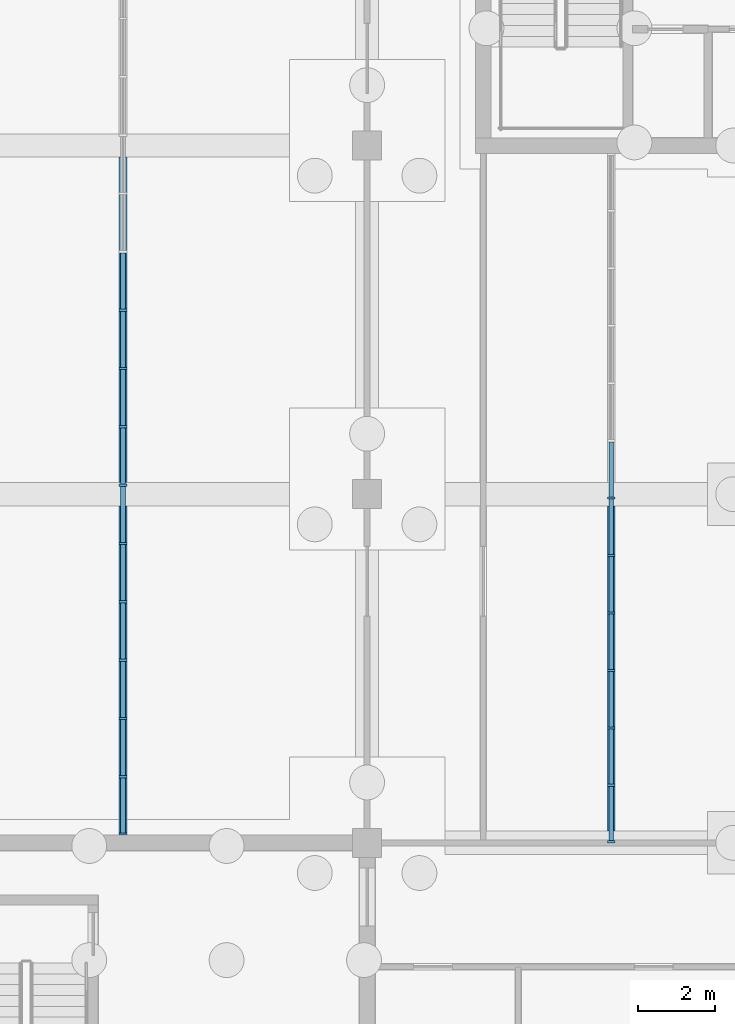
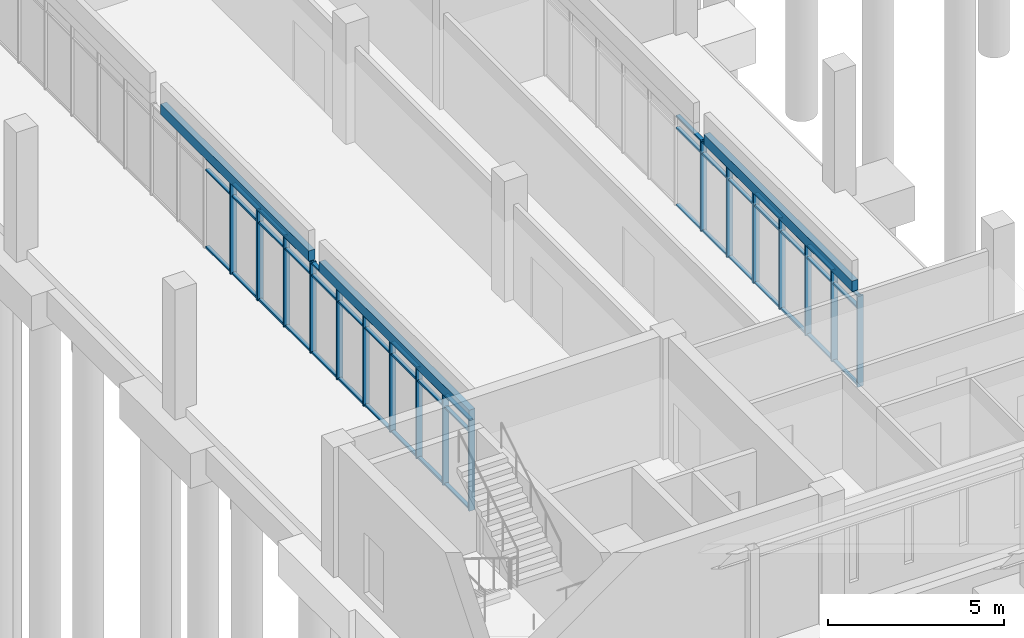
# One storey, part 38 of 106: 68 members, 3 beams, 2 elements without a shape of their own.
"""IFC4 building model written with IfcOpenShell, lengths in metres."""

from ifc_helpers import new_model, si_unit, direction, frame, origin, origin_2d, place, context, subcontext, project, spatial, rectangle, extrude, material, material_profile, profile_set, type_object, element, aggregate, save


model = new_model("IFC4")

# Units and contexts
model_context = context("Model", 3, precision=1e-05, world=origin(), true_north=direction((0.0, 1.0)))
body_context = subcontext(model_context, "Body", "Model", "MODEL_VIEW")
ifc_project = project(units=[si_unit("LENGTHUNIT", "METRE"), si_unit("AREAUNIT", "SQUARE_METRE"), si_unit("VOLUMEUNIT", "CUBIC_METRE"), si_unit("PLANEANGLEUNIT", "RADIAN"), si_unit("MASSUNIT", "GRAM", prefix="KILO")], contexts=[model_context])

# Site, building, storey
site_placement = place(None, origin())
site = spatial("IfcSite", under=ifc_project, at=site_placement, CompositionType="ELEMENT")
building_placement = place(site_placement, origin())
building = spatial("IfcBuilding", under=site, at=building_placement, Name="Merrow Basin Faculty of Sciences", CompositionType="ELEMENT")
storey_placement = place(building_placement, origin())
storey = spatial("IfcBuildingStorey", under=building, at=storey_placement, Name="L00", CompositionType="ELEMENT", Elevation=0.0)

# Curtain wall, members
ifc_material_1 = material(Name="Aluminium alloy 6063", Category="aluminium")
curtain_wall_type = type_object("IfcCurtainWallType", Name="Bar ground curtain wall 200", PredefinedType="NOTDEFINED", material=ifc_material_1)
curtain_wall_1_placement = place(storey_placement, origin())
curtain_wall_1 = element("IfcCurtainWall", 1, at=curtain_wall_1_placement, inside=storey, type_object=curtain_wall_type, Name="Ground curtain wall L00 1", PredefinedType="NOTDEFINED")
ifc_material_2 = material(Name="Aluminium alloy 6063", Category="aluminium")
ifc_material_profile_1 = material_profile(ifc_material_2, rectangle(XDim=0.199951171875, YDim=0.06005859375, at=origin_2d()))
ifc_profile_set_1 = profile_set([ifc_material_profile_1], Name="Aluminium alloy 6063")
member_type_1 = type_object("IfcMemberType", Name="Aluminium mullion 60x200", PredefinedType="MULLION", material=ifc_profile_set_1)
member_1_placement = place(storey_placement, frame((4.5, 70.22998046875, 0.0), z_axis=(0.0, 0.0, 1.0), x_axis=(-1.0, 0.0, 0.0)))
member_1 = element("IfcMember", 2, at=member_1_placement, type_object=member_type_1, Name="CW2 mullion 1", PredefinedType="MULLION", context=body_context, shape_type="SweptSolid", body=[
    extrude(rectangle(XDim=0.199951171875, YDim=0.06005859375, at=origin_2d()), origin(), (0.0, 0.0, 1.0), 3.139892578125),
])
member_2_placement = place(storey_placement, frame((4.5, 71.70556640625, 0.0), z_axis=(0.0, 0.0, 1.0), x_axis=(-1.0, 0.0, 0.0)))
member_2 = element("IfcMember", 3, at=member_2_placement, type_object=member_type_1, Name="CW2 mullion 2", PredefinedType="MULLION", context=body_context, shape_type="SweptSolid", body=[
    extrude(rectangle(XDim=0.199951171875, YDim=0.06005859375, at=origin_2d()), origin(), (0.0, 0.0, 1.0), 3.139892578125),
])
member_3_placement = place(storey_placement, frame((4.5, 73.211181640625, 0.0), z_axis=(0.0, 0.0, 1.0), x_axis=(-1.0, 0.0, 0.0)))
member_3 = element("IfcMember", 4, at=member_3_placement, type_object=member_type_1, Name="CW2 mullion 3", PredefinedType="MULLION", context=body_context, shape_type="SweptSolid", body=[
    extrude(rectangle(XDim=0.199951171875, YDim=0.06005859375, at=origin_2d()), origin(), (0.0, 0.0, 1.0), 3.139892578125),
])
member_4_placement = place(storey_placement, frame((4.5, 74.716552734375, 0.0), z_axis=(0.0, 0.0, 1.0), x_axis=(-1.0, 0.0, 0.0)))
member_4 = element("IfcMember", 5, at=member_4_placement, type_object=member_type_1, Name="CW2 mullion 4", PredefinedType="MULLION", context=body_context, shape_type="SweptSolid", body=[
    extrude(rectangle(XDim=0.199951171875, YDim=0.06005859375, at=origin_2d()), origin(), (0.0, 0.0, 1.0), 3.139892578125),
])
member_5_placement = place(storey_placement, frame((4.5, 76.22216796875, 0.0), z_axis=(0.0, 0.0, 1.0), x_axis=(-1.0, 0.0, 0.0)))
member_5 = element("IfcMember", 6, at=member_5_placement, type_object=member_type_1, Name="CW2 mullion 5", PredefinedType="MULLION", context=body_context, shape_type="SweptSolid", body=[
    extrude(rectangle(XDim=0.199951171875, YDim=0.06005859375, at=origin_2d()), origin(), (0.0, 0.0, 1.0), 3.139892578125),
])
member_6_placement = place(storey_placement, frame((4.5, 77.727783203125, 0.0), z_axis=(0.0, 0.0, 1.0), x_axis=(-1.0, 0.0, 0.0)))
member_6 = element("IfcMember", 7, at=member_6_placement, type_object=member_type_1, Name="CW2 mullion 6", PredefinedType="MULLION", context=body_context, shape_type="SweptSolid", body=[
    extrude(rectangle(XDim=0.199951171875, YDim=0.06005859375, at=origin_2d()), origin(), (0.0, 0.0, 1.0), 3.139892578125),
])
member_7_placement = place(storey_placement, frame((4.5, 79.2333984375, 0.0), z_axis=(0.0, 0.0, 1.0), x_axis=(-1.0, 0.0, 0.0)))
member_7 = element("IfcMember", 8, at=member_7_placement, type_object=member_type_1, Name="CW2 mullion 7", PredefinedType="MULLION", context=body_context, shape_type="SweptSolid", body=[
    extrude(rectangle(XDim=0.199951171875, YDim=0.06005859375, at=origin_2d()), origin(), (0.0, 0.0, 1.0), 3.139892578125),
])
member_8_placement = place(storey_placement, frame((4.5, 80.73876953125, 0.0), z_axis=(0.0, 0.0, 1.0), x_axis=(-1.0, 0.0, 0.0)))
member_8 = element("IfcMember", 9, at=member_8_placement, type_object=member_type_1, Name="CW2 mullion 8", PredefinedType="MULLION", context=body_context, shape_type="SweptSolid", body=[
    extrude(rectangle(XDim=0.199951171875, YDim=0.06005859375, at=origin_2d()), origin(), (0.0, 0.0, 1.0), 3.139892578125),
])
member_9_placement = place(storey_placement, frame((4.5, 82.244384765625, 0.0), z_axis=(0.0, 0.0, 1.0), x_axis=(-1.0, 0.0, 0.0)))
member_9 = element("IfcMember", 10, at=member_9_placement, type_object=member_type_1, Name="CW2 mullion 9", PredefinedType="MULLION", context=body_context, shape_type="SweptSolid", body=[
    extrude(rectangle(XDim=0.199951171875, YDim=0.06005859375, at=origin_2d()), origin(), (0.0, 0.0, 1.0), 3.139892578125),
])
member_10_placement = place(storey_placement, frame((4.5, 83.75, 0.0), z_axis=(0.0, 0.0, 1.0), x_axis=(-1.0, 0.0, 0.0)))
member_10 = element("IfcMember", 11, at=member_10_placement, type_object=member_type_1, Name="CW2 mullion 10", PredefinedType="MULLION", context=body_context, shape_type="SweptSolid", body=[
    extrude(rectangle(XDim=0.199951171875, YDim=0.06005859375, at=origin_2d()), origin(), (0.0, 0.0, 1.0), 3.139892578125),
])

curtain_wall_2_placement = place(storey_placement, origin())
curtain_wall_2 = element("IfcCurtainWall", 12, at=curtain_wall_2_placement, inside=storey, type_object=curtain_wall_type, Name="Ground curtain wall L00 5", PredefinedType="NOTDEFINED")
member_11_placement = place(storey_placement, frame((17.10009765625, 70.030029296875, 0.0), z_axis=(0.0, 0.0, 1.0), x_axis=(-1.0, 0.0, 0.0)))
member_11 = element("IfcMember", 13, at=member_11_placement, type_object=member_type_1, Name="CW2 mullion 1", PredefinedType="MULLION", context=body_context, shape_type="SweptSolid", body=[
    extrude(rectangle(XDim=0.199951171875, YDim=0.06005859375, at=origin_2d()), origin(), (0.0, 0.0, 1.0), 3.139892578125),
])
member_12_placement = place(storey_placement, frame((17.10009765625, 71.4833984375, 0.0), z_axis=(0.0, 0.0, 1.0), x_axis=(-1.0, 0.0, 0.0)))
member_12 = element("IfcMember", 14, at=member_12_placement, type_object=member_type_1, Name="CW2 mullion 2", PredefinedType="MULLION", context=body_context, shape_type="SweptSolid", body=[
    extrude(rectangle(XDim=0.199951171875, YDim=0.06005859375, at=origin_2d()), origin(), (0.0, 0.0, 1.0), 3.139892578125),
])
member_13_placement = place(storey_placement, frame((17.10009765625, 72.966552734375, 0.0), z_axis=(0.0, 0.0, 1.0), x_axis=(-1.0, 0.0, 0.0)))
member_13 = element("IfcMember", 15, at=member_13_placement, type_object=member_type_1, Name="CW2 mullion 3", PredefinedType="MULLION", context=body_context, shape_type="SweptSolid", body=[
    extrude(rectangle(XDim=0.199951171875, YDim=0.06005859375, at=origin_2d()), origin(), (0.0, 0.0, 1.0), 3.139892578125),
])
member_14_placement = place(storey_placement, frame((17.10009765625, 74.449951171875, 0.0), z_axis=(0.0, 0.0, 1.0), x_axis=(-1.0, 0.0, 0.0)))
member_14 = element("IfcMember", 16, at=member_14_placement, type_object=member_type_1, Name="CW2 mullion 4", PredefinedType="MULLION", context=body_context, shape_type="SweptSolid", body=[
    extrude(rectangle(XDim=0.199951171875, YDim=0.06005859375, at=origin_2d()), origin(), (0.0, 0.0, 1.0), 3.139892578125),
])
member_15_placement = place(storey_placement, frame((17.10009765625, 75.933349609375, 0.0), z_axis=(0.0, 0.0, 1.0), x_axis=(-1.0, 0.0, 0.0)))
member_15 = element("IfcMember", 17, at=member_15_placement, type_object=member_type_1, Name="CW2 mullion 5", PredefinedType="MULLION", context=body_context, shape_type="SweptSolid", body=[
    extrude(rectangle(XDim=0.199951171875, YDim=0.06005859375, at=origin_2d()), origin(), (0.0, 0.0, 1.0), 3.139892578125),
])
member_16_placement = place(storey_placement, frame((17.10009765625, 77.416748046875, 0.0), z_axis=(0.0, 0.0, 1.0), x_axis=(-1.0, 0.0, 0.0)))
member_16 = element("IfcMember", 18, at=member_16_placement, type_object=member_type_1, Name="CW2 mullion 6", PredefinedType="MULLION", context=body_context, shape_type="SweptSolid", body=[
    extrude(rectangle(XDim=0.199951171875, YDim=0.06005859375, at=origin_2d()), origin(), (0.0, 0.0, 1.0), 3.139892578125),
])
member_17_placement = place(storey_placement, frame((17.10009765625, 78.89990234375, 0.0), z_axis=(0.0, 0.0, 1.0), x_axis=(-1.0, 0.0, 0.0)))
member_17 = element("IfcMember", 19, at=member_17_placement, type_object=member_type_1, Name="CW2 mullion 7", PredefinedType="MULLION", context=body_context, shape_type="SweptSolid", body=[
    extrude(rectangle(XDim=0.199951171875, YDim=0.06005859375, at=origin_2d()), origin(), (0.0, 0.0, 1.0), 3.139892578125),
])

# Member
ifc_material_3 = material(Name="Aluminium alloy 6063", Category="aluminium")
ifc_material_profile_2 = material_profile(ifc_material_3, rectangle(XDim=0.1201171875, YDim=0.06005859375, at=origin_2d()))
ifc_profile_set_2 = profile_set([ifc_material_profile_2], Name="Aluminium alloy 6063")
member_type_2 = type_object("IfcMemberType", Name="Aluminium transom 60x120", PredefinedType="USERDEFINED", material=ifc_profile_set_2)
member_18_placement = place(storey_placement, frame((4.5, 70.260009765625, 0.030029296875), z_axis=(0.0, 1.0, 0.0), x_axis=(-1.0, 0.0, 0.0)))
member_18 = element("IfcMember", 20, at=member_18_placement, type_object=member_type_2, Name="CW2 transom 1.1", ObjectType="TRANSOM", PredefinedType="USERDEFINED", context=body_context, shape_type="SweptSolid", body=[
    extrude(rectangle(XDim=0.1201171875, YDim=0.06005859375, at=origin_2d()), origin(), (0.0, 0.0, 1.0), 1.41552734375),
])

member_19_placement = place(storey_placement, frame((4.5, 70.260009765625, 2.699951171875), z_axis=(0.0, 1.0, 0.0), x_axis=(-1.0, 0.0, 0.0)))
member_19 = element("IfcMember", 21, at=member_19_placement, type_object=member_type_2, Name="CW2 transom 1.2", ObjectType="TRANSOM", PredefinedType="USERDEFINED", context=body_context, shape_type="SweptSolid", body=[
    extrude(rectangle(XDim=0.1201171875, YDim=0.06005859375, at=origin_2d()), origin(), (0.0, 0.0, 1.0), 1.41552734375),
])

member_20_placement = place(storey_placement, frame((4.5, 70.260009765625, 3.110107421875), z_axis=(0.0, 1.0, 0.0), x_axis=(-1.0, 0.0, 0.0)))
member_20 = element("IfcMember", 22, at=member_20_placement, type_object=member_type_2, Name="CW2 transom 1.3", ObjectType="TRANSOM", PredefinedType="USERDEFINED", context=body_context, shape_type="SweptSolid", body=[
    extrude(rectangle(XDim=0.1201171875, YDim=0.06005859375, at=origin_2d()), origin(), (0.0, 0.0, 1.0), 1.41552734375),
])

member_21_placement = place(storey_placement, frame((4.5, 71.735595703125, 0.030029296875), z_axis=(0.0, 1.0, 0.0), x_axis=(-1.0, 0.0, 0.0)))
member_21 = element("IfcMember", 23, at=member_21_placement, type_object=member_type_2, Name="CW2 transom 2.1", ObjectType="TRANSOM", PredefinedType="USERDEFINED", context=body_context, shape_type="SweptSolid", body=[
    extrude(rectangle(XDim=0.1201171875, YDim=0.06005859375, at=origin_2d()), origin(), (0.0, 0.0, 1.0), 1.445556640625),
])

member_22_placement = place(storey_placement, frame((4.5, 71.735595703125, 2.699951171875), z_axis=(0.0, 1.0, 0.0), x_axis=(-1.0, 0.0, 0.0)))
member_22 = element("IfcMember", 24, at=member_22_placement, type_object=member_type_2, Name="CW2 transom 2.2", ObjectType="TRANSOM", PredefinedType="USERDEFINED", context=body_context, shape_type="SweptSolid", body=[
    extrude(rectangle(XDim=0.1201171875, YDim=0.06005859375, at=origin_2d()), origin(), (0.0, 0.0, 1.0), 1.445556640625),
])

member_23_placement = place(storey_placement, frame((4.5, 71.735595703125, 3.110107421875), z_axis=(0.0, 1.0, 0.0), x_axis=(-1.0, 0.0, 0.0)))
member_23 = element("IfcMember", 25, at=member_23_placement, type_object=member_type_2, Name="CW2 transom 2.3", ObjectType="TRANSOM", PredefinedType="USERDEFINED", context=body_context, shape_type="SweptSolid", body=[
    extrude(rectangle(XDim=0.1201171875, YDim=0.06005859375, at=origin_2d()), origin(), (0.0, 0.0, 1.0), 1.445556640625),
])

member_24_placement = place(storey_placement, frame((4.5, 73.2412109375, 0.030029296875), z_axis=(0.0, 1.0, 0.0), x_axis=(-1.0, 0.0, 0.0)))
member_24 = element("IfcMember", 26, at=member_24_placement, type_object=member_type_2, Name="CW2 transom 3.1", ObjectType="TRANSOM", PredefinedType="USERDEFINED", context=body_context, shape_type="SweptSolid", body=[
    extrude(rectangle(XDim=0.1201171875, YDim=0.06005859375, at=origin_2d()), origin(), (0.0, 0.0, 1.0), 1.445556640625),
])

member_25_placement = place(storey_placement, frame((4.5, 73.2412109375, 2.699951171875), z_axis=(0.0, 1.0, 0.0), x_axis=(-1.0, 0.0, 0.0)))
member_25 = element("IfcMember", 27, at=member_25_placement, type_object=member_type_2, Name="CW2 transom 3.2", ObjectType="TRANSOM", PredefinedType="USERDEFINED", context=body_context, shape_type="SweptSolid", body=[
    extrude(rectangle(XDim=0.1201171875, YDim=0.06005859375, at=origin_2d()), origin(), (0.0, 0.0, 1.0), 1.445556640625),
])

member_26_placement = place(storey_placement, frame((4.5, 73.2412109375, 3.110107421875), z_axis=(0.0, 1.0, 0.0), x_axis=(-1.0, 0.0, 0.0)))
member_26 = element("IfcMember", 28, at=member_26_placement, type_object=member_type_2, Name="CW2 transom 3.3", ObjectType="TRANSOM", PredefinedType="USERDEFINED", context=body_context, shape_type="SweptSolid", body=[
    extrude(rectangle(XDim=0.1201171875, YDim=0.06005859375, at=origin_2d()), origin(), (0.0, 0.0, 1.0), 1.445556640625),
])

member_27_placement = place(storey_placement, frame((4.5, 74.74658203125, 0.030029296875), z_axis=(0.0, 1.0, 0.0), x_axis=(-1.0, 0.0, 0.0)))
member_27 = element("IfcMember", 29, at=member_27_placement, type_object=member_type_2, Name="CW2 transom 4.1", ObjectType="TRANSOM", PredefinedType="USERDEFINED", context=body_context, shape_type="SweptSolid", body=[
    extrude(rectangle(XDim=0.1201171875, YDim=0.06005859375, at=origin_2d()), origin(), (0.0, 0.0, 1.0), 1.445556640625),
])

member_28_placement = place(storey_placement, frame((4.5, 74.74658203125, 2.699951171875), z_axis=(0.0, 1.0, 0.0), x_axis=(-1.0, 0.0, 0.0)))
member_28 = element("IfcMember", 30, at=member_28_placement, type_object=member_type_2, Name="CW2 transom 4.2", ObjectType="TRANSOM", PredefinedType="USERDEFINED", context=body_context, shape_type="SweptSolid", body=[
    extrude(rectangle(XDim=0.1201171875, YDim=0.06005859375, at=origin_2d()), origin(), (0.0, 0.0, 1.0), 1.445556640625),
])

member_29_placement = place(storey_placement, frame((4.5, 74.74658203125, 3.110107421875), z_axis=(0.0, 1.0, 0.0), x_axis=(-1.0, 0.0, 0.0)))
member_29 = element("IfcMember", 31, at=member_29_placement, type_object=member_type_2, Name="CW2 transom 4.3", ObjectType="TRANSOM", PredefinedType="USERDEFINED", context=body_context, shape_type="SweptSolid", body=[
    extrude(rectangle(XDim=0.1201171875, YDim=0.06005859375, at=origin_2d()), origin(), (0.0, 0.0, 1.0), 1.445556640625),
])

member_30_placement = place(storey_placement, frame((4.5, 76.252197265625, 0.030029296875), z_axis=(0.0, 1.0, 0.0), x_axis=(-1.0, 0.0, 0.0)))
member_30 = element("IfcMember", 32, at=member_30_placement, type_object=member_type_2, Name="CW2 transom 5.1", ObjectType="TRANSOM", PredefinedType="USERDEFINED", context=body_context, shape_type="SweptSolid", body=[
    extrude(rectangle(XDim=0.1201171875, YDim=0.06005859375, at=origin_2d()), origin(), (0.0, 0.0, 1.0), 1.445556640625),
])

member_31_placement = place(storey_placement, frame((4.5, 76.252197265625, 2.699951171875), z_axis=(0.0, 1.0, 0.0), x_axis=(-1.0, 0.0, 0.0)))
member_31 = element("IfcMember", 33, at=member_31_placement, type_object=member_type_2, Name="CW2 transom 5.2", ObjectType="TRANSOM", PredefinedType="USERDEFINED", context=body_context, shape_type="SweptSolid", body=[
    extrude(rectangle(XDim=0.1201171875, YDim=0.06005859375, at=origin_2d()), origin(), (0.0, 0.0, 1.0), 1.445556640625),
])

member_32_placement = place(storey_placement, frame((4.5, 76.252197265625, 3.110107421875), z_axis=(0.0, 1.0, 0.0), x_axis=(-1.0, 0.0, 0.0)))
member_32 = element("IfcMember", 34, at=member_32_placement, type_object=member_type_2, Name="CW2 transom 5.3", ObjectType="TRANSOM", PredefinedType="USERDEFINED", context=body_context, shape_type="SweptSolid", body=[
    extrude(rectangle(XDim=0.1201171875, YDim=0.06005859375, at=origin_2d()), origin(), (0.0, 0.0, 1.0), 1.445556640625),
])

member_33_placement = place(storey_placement, frame((4.5, 77.7578125, 0.030029296875), z_axis=(0.0, 1.0, 0.0), x_axis=(-1.0, 0.0, 0.0)))
member_33 = element("IfcMember", 35, at=member_33_placement, type_object=member_type_2, Name="CW2 transom 6.1", ObjectType="TRANSOM", PredefinedType="USERDEFINED", context=body_context, shape_type="SweptSolid", body=[
    extrude(rectangle(XDim=0.1201171875, YDim=0.06005859375, at=origin_2d()), origin(), (0.0, 0.0, 1.0), 1.445556640625),
])

member_34_placement = place(storey_placement, frame((4.5, 77.7578125, 2.699951171875), z_axis=(0.0, 1.0, 0.0), x_axis=(-1.0, 0.0, 0.0)))
member_34 = element("IfcMember", 36, at=member_34_placement, type_object=member_type_2, Name="CW2 transom 6.2", ObjectType="TRANSOM", PredefinedType="USERDEFINED", context=body_context, shape_type="SweptSolid", body=[
    extrude(rectangle(XDim=0.1201171875, YDim=0.06005859375, at=origin_2d()), origin(), (0.0, 0.0, 1.0), 1.445556640625),
])

member_35_placement = place(storey_placement, frame((4.5, 77.7578125, 3.110107421875), z_axis=(0.0, 1.0, 0.0), x_axis=(-1.0, 0.0, 0.0)))
member_35 = element("IfcMember", 37, at=member_35_placement, type_object=member_type_2, Name="CW2 transom 6.3", ObjectType="TRANSOM", PredefinedType="USERDEFINED", context=body_context, shape_type="SweptSolid", body=[
    extrude(rectangle(XDim=0.1201171875, YDim=0.06005859375, at=origin_2d()), origin(), (0.0, 0.0, 1.0), 1.445556640625),
])

member_36_placement = place(storey_placement, frame((4.5, 79.263427734375, 0.030029296875), z_axis=(0.0, 1.0, 0.0), x_axis=(-1.0, 0.0, 0.0)))
member_36 = element("IfcMember", 38, at=member_36_placement, type_object=member_type_2, Name="CW2 transom 7.1", ObjectType="TRANSOM", PredefinedType="USERDEFINED", context=body_context, shape_type="SweptSolid", body=[
    extrude(rectangle(XDim=0.1201171875, YDim=0.06005859375, at=origin_2d()), origin(), (0.0, 0.0, 1.0), 1.445556640625),
])

member_37_placement = place(storey_placement, frame((4.5, 79.263427734375, 2.699951171875), z_axis=(0.0, 1.0, 0.0), x_axis=(-1.0, 0.0, 0.0)))
member_37 = element("IfcMember", 39, at=member_37_placement, type_object=member_type_2, Name="CW2 transom 7.2", ObjectType="TRANSOM", PredefinedType="USERDEFINED", context=body_context, shape_type="SweptSolid", body=[
    extrude(rectangle(XDim=0.1201171875, YDim=0.06005859375, at=origin_2d()), origin(), (0.0, 0.0, 1.0), 1.445556640625),
])

member_38_placement = place(storey_placement, frame((4.5, 79.263427734375, 3.110107421875), z_axis=(0.0, 1.0, 0.0), x_axis=(-1.0, 0.0, 0.0)))
member_38 = element("IfcMember", 40, at=member_38_placement, type_object=member_type_2, Name="CW2 transom 7.3", ObjectType="TRANSOM", PredefinedType="USERDEFINED", context=body_context, shape_type="SweptSolid", body=[
    extrude(rectangle(XDim=0.1201171875, YDim=0.06005859375, at=origin_2d()), origin(), (0.0, 0.0, 1.0), 1.445556640625),
])

member_39_placement = place(storey_placement, frame((4.5, 80.768798828125, 0.030029296875), z_axis=(0.0, 1.0, 0.0), x_axis=(-1.0, 0.0, 0.0)))
member_39 = element("IfcMember", 41, at=member_39_placement, type_object=member_type_2, Name="CW2 transom 8.1", ObjectType="TRANSOM", PredefinedType="USERDEFINED", context=body_context, shape_type="SweptSolid", body=[
    extrude(rectangle(XDim=0.1201171875, YDim=0.06005859375, at=origin_2d()), origin(), (0.0, 0.0, 1.0), 1.445556640625),
])

member_40_placement = place(storey_placement, frame((4.5, 80.768798828125, 2.699951171875), z_axis=(0.0, 1.0, 0.0), x_axis=(-1.0, 0.0, 0.0)))
member_40 = element("IfcMember", 42, at=member_40_placement, type_object=member_type_2, Name="CW2 transom 8.2", ObjectType="TRANSOM", PredefinedType="USERDEFINED", context=body_context, shape_type="SweptSolid", body=[
    extrude(rectangle(XDim=0.1201171875, YDim=0.06005859375, at=origin_2d()), origin(), (0.0, 0.0, 1.0), 1.445556640625),
])

member_41_placement = place(storey_placement, frame((4.5, 80.768798828125, 3.110107421875), z_axis=(0.0, 1.0, 0.0), x_axis=(-1.0, 0.0, 0.0)))
member_41 = element("IfcMember", 43, at=member_41_placement, type_object=member_type_2, Name="CW2 transom 8.3", ObjectType="TRANSOM", PredefinedType="USERDEFINED", context=body_context, shape_type="SweptSolid", body=[
    extrude(rectangle(XDim=0.1201171875, YDim=0.06005859375, at=origin_2d()), origin(), (0.0, 0.0, 1.0), 1.445556640625),
])

member_42_placement = place(storey_placement, frame((4.5, 82.2744140625, 0.030029296875), z_axis=(0.0, 1.0, 0.0), x_axis=(-1.0, 0.0, 0.0)))
member_42 = element("IfcMember", 44, at=member_42_placement, type_object=member_type_2, Name="CW2 transom 9.1", ObjectType="TRANSOM", PredefinedType="USERDEFINED", context=body_context, shape_type="SweptSolid", body=[
    extrude(rectangle(XDim=0.1201171875, YDim=0.06005859375, at=origin_2d()), origin(), (0.0, 0.0, 1.0), 1.445556640625),
])

member_43_placement = place(storey_placement, frame((4.5, 82.2744140625, 2.699951171875), z_axis=(0.0, 1.0, 0.0), x_axis=(-1.0, 0.0, 0.0)))
member_43 = element("IfcMember", 45, at=member_43_placement, type_object=member_type_2, Name="CW2 transom 9.2", ObjectType="TRANSOM", PredefinedType="USERDEFINED", context=body_context, shape_type="SweptSolid", body=[
    extrude(rectangle(XDim=0.1201171875, YDim=0.06005859375, at=origin_2d()), origin(), (0.0, 0.0, 1.0), 1.445556640625),
])

member_44_placement = place(storey_placement, frame((4.5, 82.2744140625, 3.110107421875), z_axis=(0.0, 1.0, 0.0), x_axis=(-1.0, 0.0, 0.0)))
member_44 = element("IfcMember", 46, at=member_44_placement, type_object=member_type_2, Name="CW2 transom 9.3", ObjectType="TRANSOM", PredefinedType="USERDEFINED", context=body_context, shape_type="SweptSolid", body=[
    extrude(rectangle(XDim=0.1201171875, YDim=0.06005859375, at=origin_2d()), origin(), (0.0, 0.0, 1.0), 1.445556640625),
])

member_45_placement = place(storey_placement, frame((4.5, 83.780029296875, 0.030029296875), z_axis=(0.0, 1.0, 0.0), x_axis=(-1.0, 0.0, 0.0)))
member_45 = element("IfcMember", 47, at=member_45_placement, type_object=member_type_2, Name="CW2 transom 10.1", ObjectType="TRANSOM", PredefinedType="USERDEFINED", context=body_context, shape_type="SweptSolid", body=[
    extrude(rectangle(XDim=0.1201171875, YDim=0.06005859375, at=origin_2d()), origin(), (0.0, 0.0, 1.0), 1.445556640625),
])

member_46_placement = place(storey_placement, frame((4.5, 83.780029296875, 2.699951171875), z_axis=(0.0, 1.0, 0.0), x_axis=(-1.0, 0.0, 0.0)))
member_46 = element("IfcMember", 48, at=member_46_placement, type_object=member_type_2, Name="CW2 transom 10.2", ObjectType="TRANSOM", PredefinedType="USERDEFINED", context=body_context, shape_type="SweptSolid", body=[
    extrude(rectangle(XDim=0.1201171875, YDim=0.06005859375, at=origin_2d()), origin(), (0.0, 0.0, 1.0), 1.445556640625),
])

member_47_placement = place(storey_placement, frame((4.5, 83.780029296875, 3.110107421875), z_axis=(0.0, 1.0, 0.0), x_axis=(-1.0, 0.0, 0.0)))
member_47 = element("IfcMember", 49, at=member_47_placement, type_object=member_type_2, Name="CW2 transom 10.3", ObjectType="TRANSOM", PredefinedType="USERDEFINED", context=body_context, shape_type="SweptSolid", body=[
    extrude(rectangle(XDim=0.1201171875, YDim=0.06005859375, at=origin_2d()), origin(), (0.0, 0.0, 1.0), 1.445556640625),
])

aggregate(curtain_wall_1, [member_1, member_2, member_3, member_4, member_5, member_6, member_7, member_8, member_9, member_10, member_18, member_19, member_20, member_21, member_22, member_23, member_24, member_25, member_26, member_27, member_28, member_29, member_30, member_31, member_32, member_33, member_34, member_35, member_36, member_37, member_38, member_39, member_40, member_41, member_42, member_43, member_44, member_45, member_46, member_47])

member_48_placement = place(storey_placement, frame((17.10009765625, 70.06005859375, 0.030029296875), z_axis=(0.0, 1.0, 0.0), x_axis=(-1.0, 0.0, 0.0)))
member_48 = element("IfcMember", 50, at=member_48_placement, type_object=member_type_2, Name="CW2 transom 1.1", ObjectType="TRANSOM", PredefinedType="USERDEFINED", context=body_context, shape_type="SweptSolid", body=[
    extrude(rectangle(XDim=0.1201171875, YDim=0.06005859375, at=origin_2d()), origin(), (0.0, 0.0, 1.0), 1.393310546875),
])

member_49_placement = place(storey_placement, frame((17.10009765625, 70.06005859375, 2.699951171875), z_axis=(0.0, 1.0, 0.0), x_axis=(-1.0, 0.0, 0.0)))
member_49 = element("IfcMember", 51, at=member_49_placement, type_object=member_type_2, Name="CW2 transom 1.2", ObjectType="TRANSOM", PredefinedType="USERDEFINED", context=body_context, shape_type="SweptSolid", body=[
    extrude(rectangle(XDim=0.1201171875, YDim=0.06005859375, at=origin_2d()), origin(), (0.0, 0.0, 1.0), 1.393310546875),
])

member_50_placement = place(storey_placement, frame((17.10009765625, 70.06005859375, 3.110107421875), z_axis=(0.0, 1.0, 0.0), x_axis=(-1.0, 0.0, 0.0)))
member_50 = element("IfcMember", 52, at=member_50_placement, type_object=member_type_2, Name="CW2 transom 1.3", ObjectType="TRANSOM", PredefinedType="USERDEFINED", context=body_context, shape_type="SweptSolid", body=[
    extrude(rectangle(XDim=0.1201171875, YDim=0.06005859375, at=origin_2d()), origin(), (0.0, 0.0, 1.0), 1.393310546875),
])

member_51_placement = place(storey_placement, frame((17.10009765625, 71.513427734375, 0.030029296875), z_axis=(0.0, 1.0, 0.0), x_axis=(-1.0, 0.0, 0.0)))
member_51 = element("IfcMember", 53, at=member_51_placement, type_object=member_type_2, Name="CW2 transom 2.1", ObjectType="TRANSOM", PredefinedType="USERDEFINED", context=body_context, shape_type="SweptSolid", body=[
    extrude(rectangle(XDim=0.1201171875, YDim=0.06005859375, at=origin_2d()), origin(), (0.0, 0.0, 1.0), 1.42333984375),
])

member_52_placement = place(storey_placement, frame((17.10009765625, 71.513427734375, 2.699951171875), z_axis=(0.0, 1.0, 0.0), x_axis=(-1.0, 0.0, 0.0)))
member_52 = element("IfcMember", 54, at=member_52_placement, type_object=member_type_2, Name="CW2 transom 2.2", ObjectType="TRANSOM", PredefinedType="USERDEFINED", context=body_context, shape_type="SweptSolid", body=[
    extrude(rectangle(XDim=0.1201171875, YDim=0.06005859375, at=origin_2d()), origin(), (0.0, 0.0, 1.0), 1.42333984375),
])

member_53_placement = place(storey_placement, frame((17.10009765625, 71.513427734375, 3.110107421875), z_axis=(0.0, 1.0, 0.0), x_axis=(-1.0, 0.0, 0.0)))
member_53 = element("IfcMember", 55, at=member_53_placement, type_object=member_type_2, Name="CW2 transom 2.3", ObjectType="TRANSOM", PredefinedType="USERDEFINED", context=body_context, shape_type="SweptSolid", body=[
    extrude(rectangle(XDim=0.1201171875, YDim=0.06005859375, at=origin_2d()), origin(), (0.0, 0.0, 1.0), 1.42333984375),
])

member_54_placement = place(storey_placement, frame((17.10009765625, 72.99658203125, 0.030029296875), z_axis=(0.0, 1.0, 0.0), x_axis=(-1.0, 0.0, 0.0)))
member_54 = element("IfcMember", 56, at=member_54_placement, type_object=member_type_2, Name="CW2 transom 3.1", ObjectType="TRANSOM", PredefinedType="USERDEFINED", context=body_context, shape_type="SweptSolid", body=[
    extrude(rectangle(XDim=0.1201171875, YDim=0.06005859375, at=origin_2d()), origin(), (0.0, 0.0, 1.0), 1.42333984375),
])

member_55_placement = place(storey_placement, frame((17.10009765625, 72.99658203125, 2.699951171875), z_axis=(0.0, 1.0, 0.0), x_axis=(-1.0, 0.0, 0.0)))
member_55 = element("IfcMember", 57, at=member_55_placement, type_object=member_type_2, Name="CW2 transom 3.2", ObjectType="TRANSOM", PredefinedType="USERDEFINED", context=body_context, shape_type="SweptSolid", body=[
    extrude(rectangle(XDim=0.1201171875, YDim=0.06005859375, at=origin_2d()), origin(), (0.0, 0.0, 1.0), 1.42333984375),
])

member_56_placement = place(storey_placement, frame((17.10009765625, 72.99658203125, 3.110107421875), z_axis=(0.0, 1.0, 0.0), x_axis=(-1.0, 0.0, 0.0)))
member_56 = element("IfcMember", 58, at=member_56_placement, type_object=member_type_2, Name="CW2 transom 3.3", ObjectType="TRANSOM", PredefinedType="USERDEFINED", context=body_context, shape_type="SweptSolid", body=[
    extrude(rectangle(XDim=0.1201171875, YDim=0.06005859375, at=origin_2d()), origin(), (0.0, 0.0, 1.0), 1.42333984375),
])

member_57_placement = place(storey_placement, frame((17.10009765625, 74.47998046875, 0.030029296875), z_axis=(0.0, 1.0, 0.0), x_axis=(-1.0, 0.0, 0.0)))
member_57 = element("IfcMember", 59, at=member_57_placement, type_object=member_type_2, Name="CW2 transom 4.1", ObjectType="TRANSOM", PredefinedType="USERDEFINED", context=body_context, shape_type="SweptSolid", body=[
    extrude(rectangle(XDim=0.1201171875, YDim=0.06005859375, at=origin_2d()), origin(), (0.0, 0.0, 1.0), 1.42333984375),
])

member_58_placement = place(storey_placement, frame((17.10009765625, 74.47998046875, 2.699951171875), z_axis=(0.0, 1.0, 0.0), x_axis=(-1.0, 0.0, 0.0)))
member_58 = element("IfcMember", 60, at=member_58_placement, type_object=member_type_2, Name="CW2 transom 4.2", ObjectType="TRANSOM", PredefinedType="USERDEFINED", context=body_context, shape_type="SweptSolid", body=[
    extrude(rectangle(XDim=0.1201171875, YDim=0.06005859375, at=origin_2d()), origin(), (0.0, 0.0, 1.0), 1.42333984375),
])

member_59_placement = place(storey_placement, frame((17.10009765625, 74.47998046875, 3.110107421875), z_axis=(0.0, 1.0, 0.0), x_axis=(-1.0, 0.0, 0.0)))
member_59 = element("IfcMember", 61, at=member_59_placement, type_object=member_type_2, Name="CW2 transom 4.3", ObjectType="TRANSOM", PredefinedType="USERDEFINED", context=body_context, shape_type="SweptSolid", body=[
    extrude(rectangle(XDim=0.1201171875, YDim=0.06005859375, at=origin_2d()), origin(), (0.0, 0.0, 1.0), 1.42333984375),
])

member_60_placement = place(storey_placement, frame((17.10009765625, 75.96337890625, 0.030029296875), z_axis=(0.0, 1.0, 0.0), x_axis=(-1.0, 0.0, 0.0)))
member_60 = element("IfcMember", 62, at=member_60_placement, type_object=member_type_2, Name="CW2 transom 5.1", ObjectType="TRANSOM", PredefinedType="USERDEFINED", context=body_context, shape_type="SweptSolid", body=[
    extrude(rectangle(XDim=0.1201171875, YDim=0.06005859375, at=origin_2d()), origin(), (0.0, 0.0, 1.0), 1.42333984375),
])

member_61_placement = place(storey_placement, frame((17.10009765625, 75.96337890625, 2.699951171875), z_axis=(0.0, 1.0, 0.0), x_axis=(-1.0, 0.0, 0.0)))
member_61 = element("IfcMember", 63, at=member_61_placement, type_object=member_type_2, Name="CW2 transom 5.2", ObjectType="TRANSOM", PredefinedType="USERDEFINED", context=body_context, shape_type="SweptSolid", body=[
    extrude(rectangle(XDim=0.1201171875, YDim=0.06005859375, at=origin_2d()), origin(), (0.0, 0.0, 1.0), 1.42333984375),
])

member_62_placement = place(storey_placement, frame((17.10009765625, 75.96337890625, 3.110107421875), z_axis=(0.0, 1.0, 0.0), x_axis=(-1.0, 0.0, 0.0)))
member_62 = element("IfcMember", 64, at=member_62_placement, type_object=member_type_2, Name="CW2 transom 5.3", ObjectType="TRANSOM", PredefinedType="USERDEFINED", context=body_context, shape_type="SweptSolid", body=[
    extrude(rectangle(XDim=0.1201171875, YDim=0.06005859375, at=origin_2d()), origin(), (0.0, 0.0, 1.0), 1.42333984375),
])

member_63_placement = place(storey_placement, frame((17.10009765625, 77.44677734375, 0.030029296875), z_axis=(0.0, 1.0, 0.0), x_axis=(-1.0, 0.0, 0.0)))
member_63 = element("IfcMember", 65, at=member_63_placement, type_object=member_type_2, Name="CW2 transom 6.1", ObjectType="TRANSOM", PredefinedType="USERDEFINED", context=body_context, shape_type="SweptSolid", body=[
    extrude(rectangle(XDim=0.1201171875, YDim=0.06005859375, at=origin_2d()), origin(), (0.0, 0.0, 1.0), 1.42333984375),
])

member_64_placement = place(storey_placement, frame((17.10009765625, 77.44677734375, 2.699951171875), z_axis=(0.0, 1.0, 0.0), x_axis=(-1.0, 0.0, 0.0)))
member_64 = element("IfcMember", 66, at=member_64_placement, type_object=member_type_2, Name="CW2 transom 6.2", ObjectType="TRANSOM", PredefinedType="USERDEFINED", context=body_context, shape_type="SweptSolid", body=[
    extrude(rectangle(XDim=0.1201171875, YDim=0.06005859375, at=origin_2d()), origin(), (0.0, 0.0, 1.0), 1.42333984375),
])

member_65_placement = place(storey_placement, frame((17.10009765625, 77.44677734375, 3.110107421875), z_axis=(0.0, 1.0, 0.0), x_axis=(-1.0, 0.0, 0.0)))
member_65 = element("IfcMember", 67, at=member_65_placement, type_object=member_type_2, Name="CW2 transom 6.3", ObjectType="TRANSOM", PredefinedType="USERDEFINED", context=body_context, shape_type="SweptSolid", body=[
    extrude(rectangle(XDim=0.1201171875, YDim=0.06005859375, at=origin_2d()), origin(), (0.0, 0.0, 1.0), 1.42333984375),
])

member_66_placement = place(storey_placement, frame((17.10009765625, 78.929931640625, 0.030029296875), z_axis=(0.0, 1.0, 0.0), x_axis=(-1.0, 0.0, 0.0)))
member_66 = element("IfcMember", 68, at=member_66_placement, type_object=member_type_2, Name="CW2 transom 7.1", ObjectType="TRANSOM", PredefinedType="USERDEFINED", context=body_context, shape_type="SweptSolid", body=[
    extrude(rectangle(XDim=0.1201171875, YDim=0.06005859375, at=origin_2d()), origin(), (0.0, 0.0, 1.0), 1.42333984375),
])

member_67_placement = place(storey_placement, frame((17.10009765625, 78.929931640625, 2.699951171875), z_axis=(0.0, 1.0, 0.0), x_axis=(-1.0, 0.0, 0.0)))
member_67 = element("IfcMember", 69, at=member_67_placement, type_object=member_type_2, Name="CW2 transom 7.2", ObjectType="TRANSOM", PredefinedType="USERDEFINED", context=body_context, shape_type="SweptSolid", body=[
    extrude(rectangle(XDim=0.1201171875, YDim=0.06005859375, at=origin_2d()), origin(), (0.0, 0.0, 1.0), 1.42333984375),
])

member_68_placement = place(storey_placement, frame((17.10009765625, 78.929931640625, 3.110107421875), z_axis=(0.0, 1.0, 0.0), x_axis=(-1.0, 0.0, 0.0)))
member_68 = element("IfcMember", 70, at=member_68_placement, type_object=member_type_2, Name="CW2 transom 7.3", ObjectType="TRANSOM", PredefinedType="USERDEFINED", context=body_context, shape_type="SweptSolid", body=[
    extrude(rectangle(XDim=0.1201171875, YDim=0.06005859375, at=origin_2d()), origin(), (0.0, 0.0, 1.0), 1.42333984375),
])

aggregate(curtain_wall_2, [member_11, member_12, member_13, member_14, member_15, member_16, member_17, member_48, member_49, member_50, member_51, member_52, member_53, member_54, member_55, member_56, member_57, member_58, member_59, member_60, member_61, member_62, member_63, member_64, member_65, member_66, member_67, member_68])

# Beams
ifc_material_4 = material(Name="Concrete C40/50", Category="concrete")
ifc_material_profile_3 = material_profile(ifc_material_4, rectangle(XDim=0.199951171875, YDim=0.360107421875, at=origin_2d()))
ifc_profile_set_3 = profile_set([ifc_material_profile_3], Name="Concrete C40/50")
beam_type = type_object("IfcBeamType", Name="Precast sill beam 200 x 360 Concrete C40/50", PredefinedType="BEAM", material=ifc_profile_set_3)
beam_placement = place(storey_placement, frame((4.5, 70.199951171875, 3.320068359375), z_axis=(0.0, 1.0, 0.0), x_axis=(-1.0, 0.0, 0.0)))
element("IfcBeam", 71, at=beam_placement, inside=storey, type_object=beam_type, Name="Recess sill beam", PredefinedType="BEAM", context=body_context, shape_type="SweptSolid", body=[
    extrude(rectangle(XDim=0.199951171875, YDim=0.360107421875, at=origin_2d()), origin(), (0.0, 0.0, 1.0), 8.5),
])
for number, where, z_axis, x_axis, name in (
    (72, (4.5, 79.300048828125, 3.320068359375), (0.0, 1.0, 0.0), (-1.0, 0.0, 0.0), "Recess sill beam"),
    (73, (17.10009765625, 70.300048828125, 3.320068359375), (0.0, 1.0, 0.0), (-1.0, 0.0, 0.0), "Recess sill beam"),
):
    element("IfcBeam", number, at=place(storey_placement, frame(where, z_axis=z_axis, x_axis=x_axis)), inside=storey, type_object=beam_type, Name=name, PredefinedType="BEAM", context=body_context, shape_type="SweptSolid", body=[
        extrude(rectangle(XDim=0.199951171875, YDim=0.360107421875, at=origin_2d()), origin(), (0.0, 0.0, 1.0), 8.39990234375),
    ])

save(model, "model.ifc")
